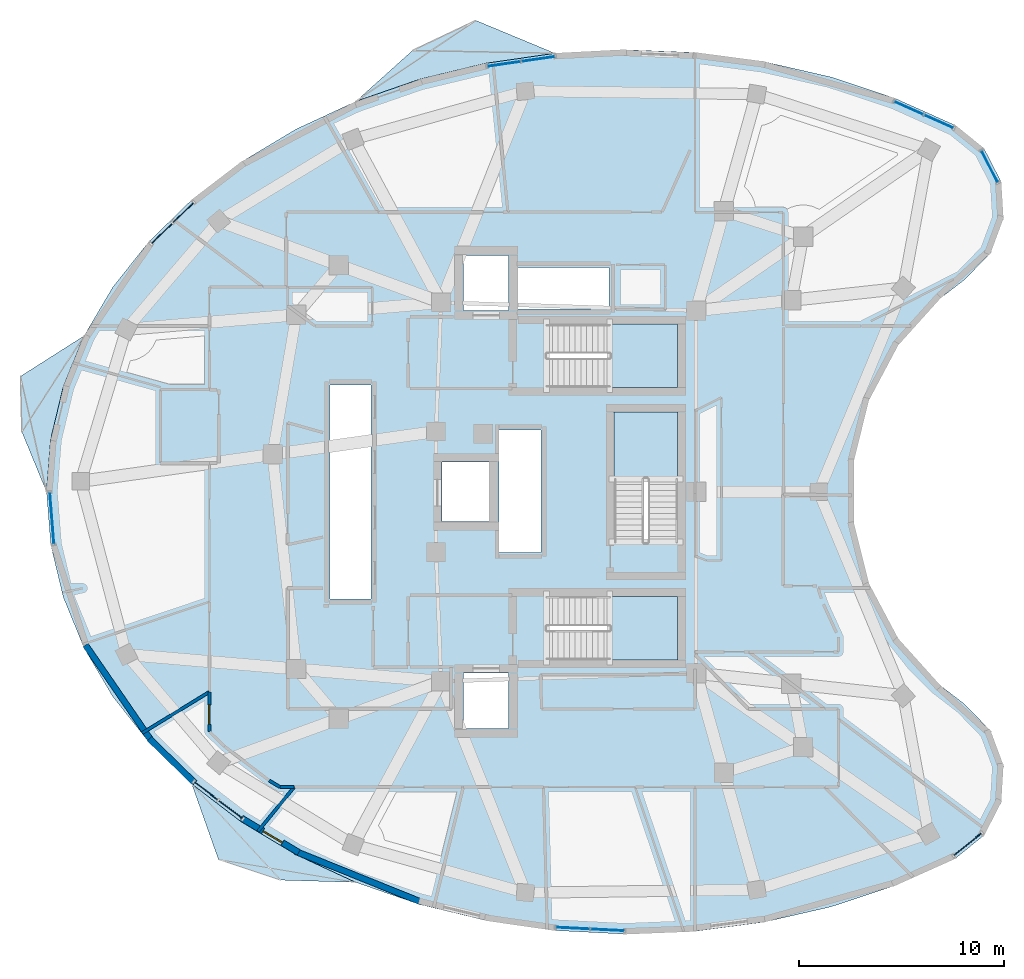
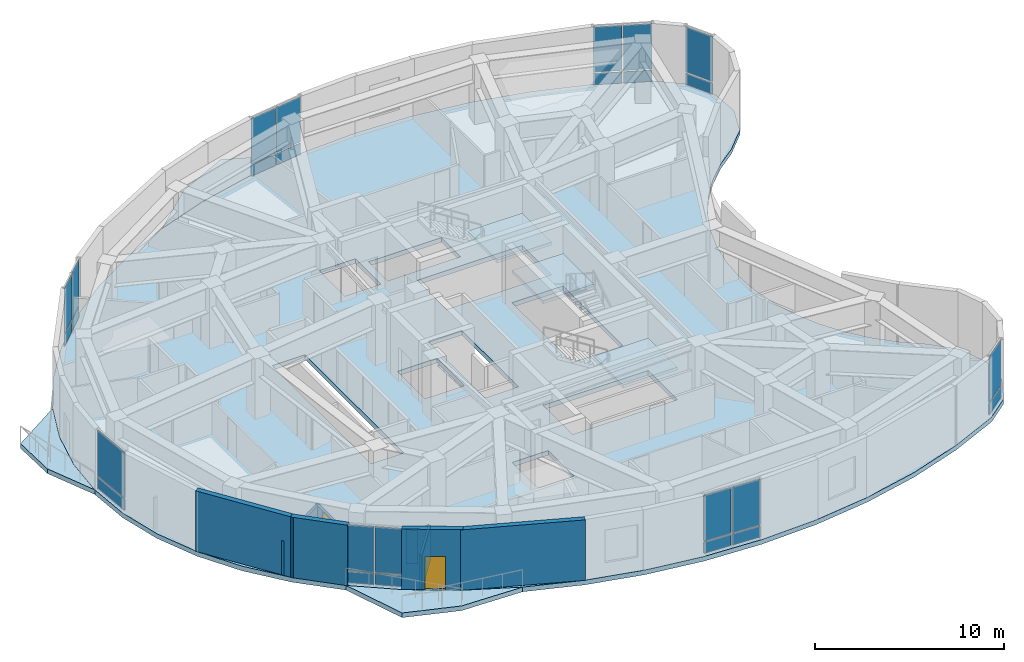
# One storey, part 5 of 13: 26 plates, 9 walls, 7 slabs, 2 doors, 2 openings, 11 elements without a shape of their own.
"""IFC4 building model written with IfcOpenShell, lengths in metres."""

from ifc_helpers import new_model, si_unit, direction, frame, frame_2d, origin, origin_2d, place, context, subcontext, project, spatial, polyline, rectangle, outline, extrude, material, layer, layer_set, type_object, element, fill, aggregate, save


model = new_model("IFC4")

# Units and contexts
model_context = context("Model", 3, precision=1e-05, world=origin(), true_north=direction((0.0, 1.0)))
body_context = subcontext(model_context, "Body", "Model", "MODEL_VIEW")
ifc_project = project(units=[si_unit("LENGTHUNIT", "METRE"), si_unit("AREAUNIT", "SQUARE_METRE"), si_unit("VOLUMEUNIT", "CUBIC_METRE"), si_unit("PLANEANGLEUNIT", "RADIAN"), si_unit("MASSUNIT", "GRAM", prefix="KILO")], contexts=[model_context])

# Site, building, storey
site_placement = place(None, origin())
site = spatial("IfcSite", under=ifc_project, at=site_placement, CompositionType="ELEMENT")
building_placement = place(site_placement, origin())
building = spatial("IfcBuilding", under=site, at=building_placement, Name="Korentha Bioscience Tower", CompositionType="ELEMENT")
storey_placement = place(building_placement, frame((0.0, 0.0, 256.199951171875)))
storey = spatial("IfcBuildingStorey", under=building, at=storey_placement, Name="L59", CompositionType="ELEMENT", Elevation=256.199951171875)

# Curtain wall, plates
ifc_material_1 = material(Name="Thermally Broken Aluminium Frame", Category="aluminium")
ifc_layer_1 = layer(ifc_material_1, 0.219970703125, Name="Thermally Broken Aluminium Frame")
ifc_layer_set_1 = layer_set([ifc_layer_1], Name="Thermally Broken Aluminium Frame (CW-T1)")
curtain_wall_type = type_object("IfcCurtainWallType", Name="Standard Bioscience Lab Unitised Curtain Wall CW-T1", PredefinedType="USERDEFINED", material=ifc_layer_set_1)
curtain_wall_1_placement = place(storey_placement, origin())
curtain_wall_1 = element("IfcCurtainWall", 1, at=curtain_wall_1_placement, inside=storey, type_object=curtain_wall_type, Name="L59 Curtain Wall 01", ObjectType="UNITISED", PredefinedType="USERDEFINED")
ifc_material_2 = material(Name="Triple-Glazed Low-E Insulated Glass", Category="glass")
ifc_layer_2 = layer(ifc_material_2, 0.0439453125, Name="Triple-Glazed Low-E Insulated Glass")
ifc_layer_set_2 = layer_set([ifc_layer_2], Name="Triple-Glazed Low-E Insulated Glass (GL-44)")
plate_type = type_object("IfcPlateType", Name="Glazed Panel 44mm", PredefinedType="CURTAIN_PANEL", material=ifc_layer_set_2)
plate_1_placement = place(storey_placement, frame((49.4052734375, 45.0869140625, 0.08984375), z_axis=(0.0, 0.0, 1.0), x_axis=(-0.912621774183, 0.408804962405, 0.0)))
plate_1 = element("IfcPlate", 2, at=plate_1_placement, type_object=plate_type, Name="CW-L59-01 Bay 1 Glazed Panel 1", PredefinedType="CURTAIN_PANEL", context=body_context, shape_type="SweptSolid", body=[
    extrude(rectangle(XDim=1.5185546875, YDim=0.0439453125, at=origin_2d()), origin(), (0.0, 0.0, 1.0), 0.715087890625),
])
plate_2_placement = place(storey_placement, frame((49.4052734375, 45.0869140625, 0.89501953125), z_axis=(0.0, 0.0, 1.0), x_axis=(-0.912621774183, 0.408804962405, 0.0)))
plate_2 = element("IfcPlate", 3, at=plate_2_placement, type_object=plate_type, Name="CW-L59-01 Bay 1 Glazed Panel 2", PredefinedType="CURTAIN_PANEL", context=body_context, shape_type="SweptSolid", body=[
    extrude(rectangle(XDim=1.5185546875, YDim=0.0439453125, at=origin_2d()), origin(), (0.0, 0.0, 1.0), 2.9150390625),
])
plate_3_placement = place(storey_placement, frame((47.937255859375, 45.744384765625, 0.08984375), z_axis=(0.0, 0.0, 1.0), x_axis=(-0.912621774183, 0.408804962405, 0.0)))
plate_3 = element("IfcPlate", 4, at=plate_3_placement, type_object=plate_type, Name="CW-L59-01 Bay 2 Glazed Panel 1", PredefinedType="CURTAIN_PANEL", context=body_context, shape_type="SweptSolid", body=[
    extrude(rectangle(XDim=1.5185546875, YDim=0.0439453125, at=origin_2d()), origin(), (0.0, 0.0, 1.0), 0.715087890625),
])
plate_4_placement = place(storey_placement, frame((47.937255859375, 45.744384765625, 0.89501953125), z_axis=(0.0, 0.0, 1.0), x_axis=(-0.912621774183, 0.408804962405, 0.0)))
plate_4 = element("IfcPlate", 5, at=plate_4_placement, type_object=plate_type, Name="CW-L59-01 Bay 2 Glazed Panel 2", PredefinedType="CURTAIN_PANEL", context=body_context, shape_type="SweptSolid", body=[
    extrude(rectangle(XDim=1.5185546875, YDim=0.0439453125, at=origin_2d()), origin(), (0.0, 0.0, 1.0), 2.9150390625),
])
aggregate(curtain_wall_1, [plate_1, plate_2, plate_3, plate_4])

curtain_wall_2_placement = place(storey_placement, origin())
curtain_wall_2 = element("IfcCurtainWall", 6, at=curtain_wall_2_placement, inside=storey, type_object=curtain_wall_type, Name="L59 Curtain Wall 07", ObjectType="UNITISED", PredefinedType="USERDEFINED")
plate_5_placement = place(storey_placement, frame((29.841796875, 48.13720703125, 0.08984375), z_axis=(0.0, 0.0, 1.0), x_axis=(-0.989728990307, -0.142956377076, 0.0)))
plate_5 = element("IfcPlate", 7, at=plate_5_placement, type_object=plate_type, Name="CW-L59-07 Bay 1 Glazed Panel 1", PredefinedType="CURTAIN_PANEL", context=body_context, shape_type="SweptSolid", body=[
    extrude(rectangle(XDim=1.602294921875, YDim=0.0439453125, at=origin_2d()), origin(), (0.0, 0.0, 1.0), 0.715087890625),
])
plate_6_placement = place(storey_placement, frame((29.841796875, 48.13720703125, 0.89501953125), z_axis=(0.0, 0.0, 1.0), x_axis=(-0.989728990307, -0.142956377076, 0.0)))
plate_6 = element("IfcPlate", 8, at=plate_6_placement, type_object=plate_type, Name="CW-L59-07 Bay 1 Glazed Panel 2", PredefinedType="CURTAIN_PANEL", context=body_context, shape_type="SweptSolid", body=[
    extrude(rectangle(XDim=1.602294921875, YDim=0.0439453125, at=origin_2d()), origin(), (0.0, 0.0, 1.0), 2.9150390625),
])
plate_7_placement = place(storey_placement, frame((28.1669921875, 47.8955078125, 0.08984375), z_axis=(0.0, 0.0, 1.0), x_axis=(-0.989728990307, -0.142956377076, 0.0)))
plate_7 = element("IfcPlate", 9, at=plate_7_placement, type_object=plate_type, Name="CW-L59-07 Bay 2 Glazed Panel 1", PredefinedType="CURTAIN_PANEL", context=body_context, shape_type="SweptSolid", body=[
    extrude(rectangle(XDim=1.602294921875, YDim=0.0439453125, at=origin_2d()), origin(), (0.0, 0.0, 1.0), 0.715087890625),
])
plate_8_placement = place(storey_placement, frame((28.1669921875, 47.8955078125, 0.89501953125), z_axis=(0.0, 0.0, 1.0), x_axis=(-0.989728990307, -0.142956377076, 0.0)))
plate_8 = element("IfcPlate", 10, at=plate_8_placement, type_object=plate_type, Name="CW-L59-07 Bay 2 Glazed Panel 2", PredefinedType="CURTAIN_PANEL", context=body_context, shape_type="SweptSolid", body=[
    extrude(rectangle(XDim=1.602294921875, YDim=0.0439453125, at=origin_2d()), origin(), (0.0, 0.0, 1.0), 2.9150390625),
])
aggregate(curtain_wall_2, [plate_5, plate_6, plate_7, plate_8])

curtain_wall_3_placement = place(storey_placement, origin())
curtain_wall_3 = element("IfcCurtainWall", 11, at=curtain_wall_3_placement, inside=storey, type_object=curtain_wall_type, Name="L59 Curtain Wall 13", ObjectType="UNITISED", PredefinedType="USERDEFINED")
plate_9_placement = place(storey_placement, frame((12.508056640625, 40.63330078125, 0.08984375), z_axis=(0.0, 0.0, 1.0), x_axis=(-0.715993919158, -0.698106516034, 0.0)))
plate_9 = element("IfcPlate", 12, at=plate_9_placement, type_object=plate_type, Name="CW-L59-13 Bay 1 Glazed Panel 1", PredefinedType="CURTAIN_PANEL", context=body_context, shape_type="SweptSolid", body=[
    extrude(rectangle(XDim=1.37158203125, YDim=0.0439453125, at=origin_2d()), origin(), (0.0, 0.0, 1.0), 0.715087890625),
])
plate_10_placement = place(storey_placement, frame((12.508056640625, 40.63330078125, 0.89501953125), z_axis=(0.0, 0.0, 1.0), x_axis=(-0.715993919158, -0.698106516034, 0.0)))
plate_10 = element("IfcPlate", 13, at=plate_10_placement, type_object=plate_type, Name="CW-L59-13 Bay 1 Glazed Panel 2", PredefinedType="CURTAIN_PANEL", context=body_context, shape_type="SweptSolid", body=[
    extrude(rectangle(XDim=1.37158203125, YDim=0.0439453125, at=origin_2d()), origin(), (0.0, 0.0, 1.0), 2.9150390625),
])
plate_11_placement = place(storey_placement, frame((11.46142578125, 39.61279296875, 0.08984375), z_axis=(0.0, 0.0, 1.0), x_axis=(-0.715993919158, -0.698106516034, 0.0)))
plate_11 = element("IfcPlate", 14, at=plate_11_placement, type_object=plate_type, Name="CW-L59-13 Bay 2 Glazed Panel 1", PredefinedType="CURTAIN_PANEL", context=body_context, shape_type="SweptSolid", body=[
    extrude(rectangle(XDim=1.37158203125, YDim=0.0439453125, at=origin_2d()), origin(), (0.0, 0.0, 1.0), 0.715087890625),
])
plate_12_placement = place(storey_placement, frame((11.46142578125, 39.61279296875, 0.89501953125), z_axis=(0.0, 0.0, 1.0), x_axis=(-0.715993919158, -0.698106516034, 0.0)))
plate_12 = element("IfcPlate", 15, at=plate_12_placement, type_object=plate_type, Name="CW-L59-13 Bay 2 Glazed Panel 2", PredefinedType="CURTAIN_PANEL", context=body_context, shape_type="SweptSolid", body=[
    extrude(rectangle(XDim=1.37158203125, YDim=0.0439453125, at=origin_2d()), origin(), (0.0, 0.0, 1.0), 2.9150390625),
])
aggregate(curtain_wall_3, [plate_9, plate_10, plate_11, plate_12])

curtain_wall_4_placement = place(storey_placement, origin())
curtain_wall_4 = element("IfcCurtainWall", 16, at=curtain_wall_4_placement, inside=storey, type_object=curtain_wall_type, Name="L59 Curtain Wall 19", ObjectType="UNITISED", PredefinedType="USERDEFINED")
plate_13_placement = place(storey_placement, frame((6.09521484375, 25.717529296875, 0.08984375), z_axis=(0.0, 0.0, 1.0), x_axis=(0.079117478884, -0.996865299093, 0.0)))
plate_13 = element("IfcPlate", 17, at=plate_13_placement, type_object=plate_type, Name="CW-L59-19 Bay 1 Glazed Panel 1", PredefinedType="CURTAIN_PANEL", context=body_context, shape_type="SweptSolid", body=[
    extrude(rectangle(XDim=2.498291015625, YDim=0.0439453125, at=origin_2d()), origin(), (0.0, 0.0, 1.0), 0.715087890625),
])
plate_14_placement = place(storey_placement, frame((6.09521484375, 25.717529296875, 0.89501953125), z_axis=(0.0, 0.0, 1.0), x_axis=(0.079117478884, -0.996865299093, 0.0)))
plate_14 = element("IfcPlate", 18, at=plate_14_placement, type_object=plate_type, Name="CW-L59-19 Bay 1 Glazed Panel 2", PredefinedType="CURTAIN_PANEL", context=body_context, shape_type="SweptSolid", body=[
    extrude(rectangle(XDim=2.498291015625, YDim=0.0439453125, at=origin_2d()), origin(), (0.0, 0.0, 1.0), 2.9150390625),
])
aggregate(curtain_wall_4, [plate_13, plate_14])

curtain_wall_5_placement = place(storey_placement, origin())
curtain_wall_5 = element("IfcCurtainWall", 19, at=curtain_wall_5_placement, inside=storey, type_object=curtain_wall_type, Name="L59 Curtain Wall 25", ObjectType="UNITISED", PredefinedType="USERDEFINED")
plate_15_placement = place(storey_placement, frame((13.62451171875, 12.403564453125, 0.08984375), z_axis=(0.0, 0.0, 1.0), x_axis=(0.794382455982, -0.607417906904, 0.0)))
plate_15 = element("IfcPlate", 20, at=plate_15_placement, type_object=plate_type, Name="CW-L59-25 Bay 1 Glazed Panel 1", PredefinedType="CURTAIN_PANEL", context=body_context, shape_type="SweptSolid", body=[
    extrude(rectangle(XDim=1.421142578125, YDim=0.0439453125, at=origin_2d()), origin(), (0.0, 0.0, 1.0), 0.715087890625),
])
plate_16_placement = place(storey_placement, frame((13.62451171875, 12.403564453125, 0.89501953125), z_axis=(0.0, 0.0, 1.0), x_axis=(0.794382455982, -0.607417906904, 0.0)))
plate_16 = element("IfcPlate", 21, at=plate_16_placement, type_object=plate_type, Name="CW-L59-25 Bay 1 Glazed Panel 2", PredefinedType="CURTAIN_PANEL", context=body_context, shape_type="SweptSolid", body=[
    extrude(rectangle(XDim=1.421142578125, YDim=0.0439453125, at=origin_2d()), origin(), (0.0, 0.0, 1.0), 2.9150390625),
])
plate_17_placement = place(storey_placement, frame((14.824951171875, 11.485595703125, 0.08984375), z_axis=(0.0, 0.0, 1.0), x_axis=(0.794382455982, -0.607417906904, 0.0)))
plate_17 = element("IfcPlate", 22, at=plate_17_placement, type_object=plate_type, Name="CW-L59-25 Bay 2 Glazed Panel 1", PredefinedType="CURTAIN_PANEL", context=body_context, shape_type="SweptSolid", body=[
    extrude(rectangle(XDim=1.421142578125, YDim=0.0439453125, at=origin_2d()), origin(), (0.0, 0.0, 1.0), 0.715087890625),
])
plate_18_placement = place(storey_placement, frame((14.824951171875, 11.485595703125, 0.89501953125), z_axis=(0.0, 0.0, 1.0), x_axis=(0.794382455982, -0.607417906904, 0.0)))
plate_18 = element("IfcPlate", 23, at=plate_18_placement, type_object=plate_type, Name="CW-L59-25 Bay 2 Glazed Panel 2", PredefinedType="CURTAIN_PANEL", context=body_context, shape_type="SweptSolid", body=[
    extrude(rectangle(XDim=1.421142578125, YDim=0.0439453125, at=origin_2d()), origin(), (0.0, 0.0, 1.0), 2.9150390625),
])
aggregate(curtain_wall_5, [plate_15, plate_16, plate_17, plate_18])

curtain_wall_6_placement = place(storey_placement, origin())
curtain_wall_6 = element("IfcCurtainWall", 24, at=curtain_wall_6_placement, inside=storey, type_object=curtain_wall_type, Name="L59 Curtain Wall 31", ObjectType="UNITISED", PredefinedType="USERDEFINED")
plate_19_placement = place(storey_placement, frame((31.52490234375, 5.6982421875, 0.08984375), z_axis=(0.0, 0.0, 1.0), x_axis=(0.998671032258, -0.051538037689, 0.0)))
plate_19 = element("IfcPlate", 25, at=plate_19_placement, type_object=plate_type, Name="CW-L59-31 Bay 1 Glazed Panel 1", PredefinedType="CURTAIN_PANEL", context=body_context, shape_type="SweptSolid", body=[
    extrude(rectangle(XDim=1.61328125, YDim=0.0439453125, at=origin_2d()), origin(), (0.0, 0.0, 1.0), 0.715087890625),
])
plate_20_placement = place(storey_placement, frame((31.52490234375, 5.6982421875, 0.89501953125), z_axis=(0.0, 0.0, 1.0), x_axis=(0.998671032258, -0.051538037689, 0.0)))
plate_20 = element("IfcPlate", 26, at=plate_20_placement, type_object=plate_type, Name="CW-L59-31 Bay 1 Glazed Panel 2", PredefinedType="CURTAIN_PANEL", context=body_context, shape_type="SweptSolid", body=[
    extrude(rectangle(XDim=1.61328125, YDim=0.0439453125, at=origin_2d()), origin(), (0.0, 0.0, 1.0), 2.9150390625),
])
plate_21_placement = place(storey_placement, frame((33.225830078125, 5.610595703125, 0.08984375), z_axis=(0.0, 0.0, 1.0), x_axis=(0.998671032258, -0.051538037689, 0.0)))
plate_21 = element("IfcPlate", 27, at=plate_21_placement, type_object=plate_type, Name="CW-L59-31 Bay 2 Glazed Panel 1", PredefinedType="CURTAIN_PANEL", context=body_context, shape_type="SweptSolid", body=[
    extrude(rectangle(XDim=1.61328125, YDim=0.0439453125, at=origin_2d()), origin(), (0.0, 0.0, 1.0), 0.715087890625),
])
plate_22_placement = place(storey_placement, frame((33.225830078125, 5.610595703125, 0.89501953125), z_axis=(0.0, 0.0, 1.0), x_axis=(0.998671032258, -0.051538037689, 0.0)))
plate_22 = element("IfcPlate", 28, at=plate_22_placement, type_object=plate_type, Name="CW-L59-31 Bay 2 Glazed Panel 2", PredefinedType="CURTAIN_PANEL", context=body_context, shape_type="SweptSolid", body=[
    extrude(rectangle(XDim=1.61328125, YDim=0.0439453125, at=origin_2d()), origin(), (0.0, 0.0, 1.0), 2.9150390625),
])
aggregate(curtain_wall_6, [plate_19, plate_20, plate_21, plate_22])

curtain_wall_7_placement = place(storey_placement, origin())
curtain_wall_7 = element("IfcCurtainWall", 29, at=curtain_wall_7_placement, inside=storey, type_object=curtain_wall_type, Name="L59 Curtain Wall 37", ObjectType="UNITISED", PredefinedType="USERDEFINED")
plate_23_placement = place(storey_placement, frame((50.810791015625, 9.790771484375, 0.08984375), z_axis=(0.0, 0.0, 1.0), x_axis=(0.777226359638, 0.629221094596, 0.0)))
plate_23 = element("IfcPlate", 30, at=plate_23_placement, type_object=plate_type, Name="CW-L59-37 Bay 1 Glazed Panel 1", PredefinedType="CURTAIN_PANEL", context=body_context, shape_type="SweptSolid", body=[
    extrude(rectangle(XDim=1.70703125, YDim=0.0439453125, at=origin_2d()), origin(), (0.0, 0.0, 1.0), 0.715087890625),
])
plate_24_placement = place(storey_placement, frame((50.810791015625, 9.790771484375, 0.89501953125), z_axis=(0.0, 0.0, 1.0), x_axis=(0.777226359638, 0.629221094596, 0.0)))
plate_24 = element("IfcPlate", 31, at=plate_24_placement, type_object=plate_type, Name="CW-L59-37 Bay 1 Glazed Panel 2", PredefinedType="CURTAIN_PANEL", context=body_context, shape_type="SweptSolid", body=[
    extrude(rectangle(XDim=1.70703125, YDim=0.0439453125, at=origin_2d()), origin(), (0.0, 0.0, 1.0), 2.9150390625),
])
aggregate(curtain_wall_7, [plate_23, plate_24])

curtain_wall_8_placement = place(storey_placement, origin())
curtain_wall_8 = element("IfcCurtainWall", 32, at=curtain_wall_8_placement, inside=storey, type_object=curtain_wall_type, Name="L59 Curtain Wall 61", ObjectType="UNITISED", PredefinedType="USERDEFINED")
plate_25_placement = place(storey_placement, frame((51.885009765625, 42.888671875, 0.08984375), z_axis=(0.0, 0.0, 1.0), x_axis=(-0.457569503198, 0.889173857996, 0.0)))
plate_25 = element("IfcPlate", 33, at=plate_25_placement, type_object=plate_type, Name="CW-L59-61 Bay 1 Glazed Panel 1", PredefinedType="CURTAIN_PANEL", context=body_context, shape_type="SweptSolid", body=[
    extrude(rectangle(XDim=1.70703125, YDim=0.0439453125, at=origin_2d()), origin(), (0.0, 0.0, 1.0), 0.715087890625),
])
plate_26_placement = place(storey_placement, frame((51.885009765625, 42.888671875, 0.89501953125), z_axis=(0.0, 0.0, 1.0), x_axis=(-0.457569503198, 0.889173857996, 0.0)))
plate_26 = element("IfcPlate", 34, at=plate_26_placement, type_object=plate_type, Name="CW-L59-61 Bay 1 Glazed Panel 2", PredefinedType="CURTAIN_PANEL", context=body_context, shape_type="SweptSolid", body=[
    extrude(rectangle(XDim=1.70703125, YDim=0.0439453125, at=origin_2d()), origin(), (0.0, 0.0, 1.0), 2.9150390625),
])
aggregate(curtain_wall_8, [plate_25, plate_26])

# Slab
ifc_material_3 = material(Name="Concrete C50", Category="concrete")
ifc_layer_3 = layer(ifc_material_3, 0.300048828125, Name="Concrete C50")
ifc_layer_set_3 = layer_set([ifc_layer_3], Name="Concrete C50 (SL-L300)")
slab_type_1 = type_object("IfcSlabType", Name="Laboratory Vibration-Controlled Slab 300", PredefinedType="FLOOR", material=ifc_layer_set_3)
slab_1_placement = place(storey_placement, frame((0.0, 0.0, -0.300048828125)))
element("IfcSlab", 35, at=slab_1_placement, inside=storey, type_object=slab_type_1, Name="L59 Tower Structural Floor Slab", PredefinedType="FLOOR", context=body_context, shape_type="SweptSolid", body=[
    extrude(outline(polyline([(50.209228515625, 44.902099609375), (47.26416015625, 46.22119140625), (44.1318359375, 47.262939453125), (40.857666015625, 48.011962890625), (37.488525390625, 48.45751953125), (34.0732421875, 48.593505859375), (30.6611328125, 48.41748046875), (27.301513671875, 47.93212890625), (24.04296875, 47.144775390625), (20.932373046875, 46.06640625), (18.0146484375, 44.712890625), (15.33203125, 43.103515625), (12.923095703125, 41.261474609375), (10.822998046875, 39.213623046875), (9.0615234375, 36.989501953125), (7.66455078125, 34.62109375), (6.65185546875, 32.142822265625), (6.03857421875, 29.590087890625), (5.8330078125, 27.0), (6.03857421875, 24.409912109375), (6.65185546875, 21.857177734375), (7.66455078125, 19.37890625), (9.0615234375, 17.010498046875), (10.822998046875, 14.786376953125), (12.923095703125, 12.738525390625), (15.33203125, 10.896484375), (18.0146484375, 9.287109375), (20.932373046875, 7.93359375), (24.04296875, 6.855224609375), (27.301513671875, 6.06787109375), (30.6611328125, 5.58251953125), (34.0732421875, 5.406494140625), (37.488525390625, 5.54248046875), (40.857666015625, 5.988037109375), (44.1318359375, 6.737060546875), (47.26416015625, 7.77880859375), (50.209228515625, 9.097900390625), (51.61376953125, 10.23486328125), (52.440673828125, 11.841552734375), (52.54931640625, 13.6455078125), (51.92138671875, 15.340087890625), (50.66357421875, 16.637451171875), (49.452880859375, 17.56640625), (48.3642578125, 18.63623046875), (47.414306640625, 19.83056640625), (46.616943359375, 21.1318359375), (45.98388671875, 22.5205078125), (45.525146484375, 23.97607421875), (45.246826171875, 25.476806640625), (45.15380859375, 27.0), (45.246826171875, 28.523193359375), (45.525146484375, 30.02392578125), (45.98388671875, 31.4794921875), (46.616943359375, 32.8681640625), (47.414306640625, 34.16943359375), (48.3642578125, 35.36376953125), (49.452880859375, 36.43359375), (50.66357421875, 37.362548828125), (51.92138671875, 38.659912109375), (52.54931640625, 40.3544921875), (52.440673828125, 42.158447265625), (51.61376953125, 43.76513671875), (50.209228515625, 44.902099609375)]), holes=[polyline([(30.25, 32.10009765625), (36.64990234375, 32.10009765625), (36.64990234375, 35.199951171875), (30.25, 35.199951171875), (30.25, 32.10009765625)]), polyline([(30.25, 18.800048828125), (36.64990234375, 18.800048828125), (36.64990234375, 21.89990234375), (30.25, 21.89990234375), (30.25, 18.800048828125)]), polyline([(36.64990234375, 24.550048828125), (36.64990234375, 30.89990234375), (33.550048828125, 30.89990234375), (33.550048828125, 24.550048828125), (36.64990234375, 24.550048828125)]), polyline([(19.679931640625, 21.780029296875), (21.669921875, 21.780029296875), (21.669921875, 32.219970703125), (19.679931640625, 32.219970703125), (19.679931640625, 21.780029296875)]), polyline([(27.929931640625, 24.030029296875), (29.969970703125, 24.030029296875), (29.969970703125, 30.02001953125), (27.929931640625, 30.02001953125), (27.929931640625, 24.030029296875)]), polyline([(28.860107421875, 35.93994140625), (33.31005859375, 35.93994140625), (33.31005859375, 37.9599609375), (28.860107421875, 37.9599609375), (28.860107421875, 35.93994140625)]), polyline([(26.199951171875, 15.449951171875), (28.39990234375, 15.449951171875), (28.39990234375, 18.14990234375), (26.199951171875, 18.14990234375), (26.199951171875, 15.449951171875)]), polyline([(26.199951171875, 35.85009765625), (28.39990234375, 35.85009765625), (28.39990234375, 38.550048828125), (26.199951171875, 38.550048828125), (26.199951171875, 35.85009765625)]), polyline([(25.14990234375, 25.550048828125), (27.550048828125, 25.550048828125), (27.550048828125, 28.449951171875), (25.14990234375, 28.449951171875), (25.14990234375, 25.550048828125)])]), origin(), (0.0, 0.0, 1.0), 0.300048828125),
])

# Stair, slab
ifc_material_4 = material(Name="Precast Concrete C50", Category="concrete")
stair_type = type_object("IfcStairType", Name="Core Exit Dog-Leg Stair 1450", PredefinedType="HALF_TURN_STAIR", material=ifc_material_4)
stair_1_placement = place(storey_placement, origin())
stair_1 = element("IfcStair", 36, at=stair_1_placement, inside=storey, type_object=stair_type, Name="L59 Tower North Pressurized Exit Stair ST-1", PredefinedType="HALF_TURN_STAIR")
ifc_layer_4 = layer(ifc_material_3, 0.199951171875, Name="Concrete C50")
ifc_layer_set_4 = layer_set([ifc_layer_4], Name="Concrete C50 (SL-LND)")
slab_type_2 = type_object("IfcSlabType", Name="Landing Slab 200", PredefinedType="LANDING", material=ifc_layer_set_4)
slab_2_placement = place(storey_placement, frame((0.0, 0.0, 1.900146484375)))
slab_2 = element("IfcSlab", 37, at=slab_2_placement, type_object=slab_type_2, Name="ST-1 landing 1", PredefinedType="LANDING", context=body_context, shape_type="SweptSolid", body=[
    extrude(outline(polyline([(33.330078125, 32.10009765625), (36.64990234375, 32.10009765625), (36.64990234375, 35.199951171875), (33.330078125, 35.199951171875), (33.330078125, 32.10009765625)])), origin(), (0.0, 0.0, 1.0), 0.199951171875),
])
aggregate(stair_1, [slab_2])

stair_2_placement = place(storey_placement, origin())
stair_2 = element("IfcStair", 38, at=stair_2_placement, inside=storey, type_object=stair_type, Name="L59 Tower South Pressurized Exit Stair ST-2", PredefinedType="HALF_TURN_STAIR")
slab_3_placement = place(storey_placement, frame((0.0, 0.0, 1.900146484375)))
slab_3 = element("IfcSlab", 39, at=slab_3_placement, type_object=slab_type_2, Name="ST-2 landing 1", PredefinedType="LANDING", context=body_context, shape_type="SweptSolid", body=[
    extrude(outline(polyline([(33.330078125, 18.800048828125), (36.64990234375, 18.800048828125), (36.64990234375, 21.89990234375), (33.330078125, 21.89990234375), (33.330078125, 18.800048828125)])), origin(), (0.0, 0.0, 1.0), 0.199951171875),
])
aggregate(stair_2, [slab_3])

stair_3_placement = place(storey_placement, origin())
stair_3 = element("IfcStair", 40, at=stair_3_placement, inside=storey, type_object=stair_type, Name="L59 Tower Central Pressurized Exit Stair ST-3", PredefinedType="HALF_TURN_STAIR")
slab_4_placement = place(storey_placement, frame((0.0, 0.0, 1.900146484375)))
slab_4 = element("IfcSlab", 41, at=slab_4_placement, type_object=slab_type_2, Name="ST-3 landing 1", PredefinedType="LANDING", context=body_context, shape_type="SweptSolid", body=[
    extrude(outline(polyline([(36.64990234375, 27.6298828125), (36.64990234375, 30.89990234375), (33.550048828125, 30.89990234375), (33.550048828125, 27.6298828125), (36.64990234375, 27.6298828125)])), origin(), (0.0, 0.0, 1.0), 0.199951171875),
])
aggregate(stair_3, [slab_4])

# Slabs
ifc_layer_5 = layer(ifc_material_3, 0.300048828125, Name="Concrete C50")
ifc_layer_set_5 = layer_set([ifc_layer_5], Name="Concrete C50 (BS-240)")
slab_type_3 = type_object("IfcSlabType", Name="Sawtooth Sun-Ledge Balcony Slab 240", PredefinedType="USERDEFINED", material=ifc_layer_set_5)
slab_5_placement = place(storey_placement, frame((0.0, 0.0, -0.300048828125)))
element("IfcSlab", 42, at=slab_5_placement, inside=storey, type_object=slab_type_3, Name="L59 Sun-Ledge Balcony 01", ObjectType="BALCONY", PredefinedType="USERDEFINED", context=body_context, shape_type="SweptSolid", body=[
    extrude(outline(polyline([(20.932373046875, 46.06640625), (24.04296875, 47.144775390625), (27.301513671875, 47.93212890625), (30.6611328125, 48.41748046875), (26.796630859375, 50.02197265625), (23.702392578125, 48.55419921875), (20.932373046875, 46.06640625)])), origin(), (0.0, 0.0, 1.0), 0.300048828125),
])
slab_6_placement = place(storey_placement, frame((0.0, 0.0, -0.300048828125)))
element("IfcSlab", 43, at=slab_6_placement, inside=storey, type_object=slab_type_3, Name="L59 Sun-Ledge Balcony 02", ObjectType="BALCONY", PredefinedType="USERDEFINED", context=body_context, shape_type="SweptSolid", body=[
    extrude(outline(polyline([(5.8330078125, 27.0), (6.03857421875, 29.590087890625), (6.65185546875, 32.142822265625), (7.66455078125, 34.62109375), (4.561279296875, 32.645263671875), (4.628662109375, 29.928955078125), (5.8330078125, 27.0)])), origin(), (0.0, 0.0, 1.0), 0.300048828125),
])
slab_7_placement = place(storey_placement, frame((0.0, 0.0, -0.300048828125)))
element("IfcSlab", 44, at=slab_7_placement, inside=storey, type_object=slab_type_3, Name="L59 Sun-Ledge Balcony 03", ObjectType="BALCONY", PredefinedType="USERDEFINED", context=body_context, shape_type="SweptSolid", body=[
    extrude(outline(polyline([(20.932373046875, 7.93359375), (18.0146484375, 9.287109375), (15.33203125, 10.896484375), (12.923095703125, 12.738525390625), (14.225830078125, 9.052978515625), (17.268798828125, 8.043701171875), (20.932373046875, 7.93359375)])), origin(), (0.0, 0.0, 1.0), 0.300048828125),
])

# Wall, opening, door
ifc_material_5 = material(Name="Double-Stud Acoustic Gypsum", Category="gypsum")
ifc_layer_6 = layer(ifc_material_5, 0.14990234375, Name="Double-Stud Acoustic Gypsum")
ifc_layer_set_6 = layer_set([ifc_layer_6], Name="Double-Stud Acoustic Gypsum (IW-L150)")
wall_type_1 = type_object("IfcWallType", Name="Acoustic Laboratory Partition Wall 150", PredefinedType="PARTITIONING", material=ifc_layer_set_6)
wall_1_placement = place(storey_placement, frame((13.7900390625, 17.2255859375, 0.0), z_axis=(0.0, 0.0, 1.0), x_axis=(0.0, -1.0, 0.0)))
wall_1 = element("IfcWall", 45, at=wall_1_placement, inside=storey, type_object=wall_type_1, Name="L59 Staff Pantry Kitchenette 03 Entrance Wall", PredefinedType="PARTITIONING", context=body_context, shape_type="SweptSolid", body=[
    extrude(rectangle(XDim=1.93408203125, YDim=0.14990234375, at=frame_2d((0.967041015625, 0.0))), origin(), (0.0, 0.0, 1.0), 2.219970703125),
])
opening_1_placement = place(wall_1_placement, frame((0.625, 0.0, 0.0)))
opening_1 = element("IfcOpeningElement", 46, at=opening_1_placement, cuts=wall_1, Name="Opening ID-10R", PredefinedType="OPENING", context=body_context, shape_type="SweptSolid", body=[
    extrude(rectangle(XDim=0.949951171875, YDim=2.14990234375, at=frame_2d((0.47509765625, 1.074951171875))), frame((0.0, 0.08984375, 0.0), z_axis=(0.0, -1.0, 0.0), x_axis=(1.0, 0.0, 0.0)), (0.0, 0.0, 1.0), 0.1796875),
])
ifc_material_6 = material(Name="Phenolic Laminate Timber Core", Category="wood")
door_type_1 = type_object("IfcDoorType", Name="Laboratory Single Leaf Door 950x2150 Right", OperationType="SINGLE_SWING_RIGHT", PredefinedType="DOOR", material=ifc_material_6)
door_1_placement = place(opening_1_placement, origin())
door_1 = element("IfcDoor", 47, at=door_1_placement, inside=storey, type_object=door_type_1, Name="L59 Staff Pantry Kitchenette 03 Door", OperationType="SINGLE_SWING_RIGHT", OverallHeight=2.14990234375, OverallWidth=0.949951171875, PredefinedType="DOOR", context=body_context, shape_type="SweptSolid", body=[
    extrude(rectangle(XDim=0.949951171875, YDim=2.14990234375, at=frame_2d((0.47509765625, 1.074951171875))), frame((0.0, 0.02490234375, 0.0), z_axis=(0.0, -1.0, 0.0), x_axis=(1.0, 0.0, 0.0)), (0.0, 0.0, 1.0), 0.050048828125),
])
fill(opening_1, door_1)

# Walls
wall_2_placement = place(storey_placement, frame((13.7900390625, 17.2373046875, 0.0), z_axis=(0.0, 0.0, 1.0), x_axis=(-0.852642224979, -0.522495202066, 0.0)))
element("IfcWall", 48, at=wall_2_placement, inside=storey, type_object=wall_type_1, Name="L59 Interior Partition 038", PredefinedType="PARTITIONING", context=body_context, shape_type="SweptSolid", body=[
    extrude(rectangle(XDim=3.853515625, YDim=0.14990234375, at=frame_2d((1.9267578125, 0.0))), origin(), (0.0, 0.0, 1.0), 2.219970703125),
])
wall_3_placement = place(storey_placement, frame((16.699951171875, 12.90966796875, 0.0), z_axis=(0.0, 0.0, 1.0), x_axis=(0.857458106414, -0.514553783141, 0.0)))
element("IfcWall", 49, at=wall_3_placement, inside=storey, type_object=wall_type_1, Name="L59 Interior Partition 041", PredefinedType="PARTITIONING", context=body_context, shape_type="SweptSolid", body=[
    extrude(rectangle(XDim=0.61865234375, YDim=0.14990234375, at=frame_2d((0.309326171875, 0.0))), origin(), (0.0, 0.0, 1.0), 2.219970703125),
])
wall_4_placement = place(storey_placement, frame((17.235595703125, 12.590087890625, 0.0), z_axis=(0.0, 0.0, 1.0), x_axis=(1.0, 0.0, 0.0)))
element("IfcWall", 50, at=wall_4_placement, inside=storey, type_object=wall_type_1, Name="L59 Interior Partition 042", PredefinedType="PARTITIONING", context=body_context, shape_type="SweptSolid", body=[
    extrude(rectangle(XDim=0.6923828125, YDim=0.14990234375, at=frame_2d((0.34619140625, 0.0))), origin(), (0.0, 0.0, 1.0), 2.219970703125),
])
wall_5_placement = place(storey_placement, frame((17.927978515625, 12.590087890625, 0.0), z_axis=(0.0, 0.0, 1.0), x_axis=(-0.633318665549, -0.773891121455, 0.0)))
element("IfcWall", 51, at=wall_5_placement, inside=storey, type_object=wall_type_1, Name="L59 Interior Partition 043", PredefinedType="PARTITIONING", context=body_context, shape_type="SweptSolid", body=[
    extrude(rectangle(XDim=2.79443359375, YDim=0.14990234375, at=frame_2d((1.397216796875, 0.0))), origin(), (0.0, 0.0, 1.0), 2.219970703125),
])

# Wall, opening, door
ifc_material_7 = material(Name="Honed Limestone Precast Concrete C40", Category="masonry")
ifc_layer_7 = layer(ifc_material_7, 0.300048828125, Name="Honed Limestone Precast Concrete C40")
ifc_layer_set_7 = layer_set([ifc_layer_7], Name="Honed Limestone Precast Concrete C40 (EW-ST300)")
wall_type_2 = type_object("IfcWallType", Name="Honed Limestone Cavity Spandrel Wall 300", PredefinedType="STANDARD", material=ifc_layer_set_7)
wall_6_placement = place(storey_placement, frame((15.36279296875, 11.064697265625, 0.0), z_axis=(0.0, 0.0, 1.0), x_axis=(0.857526080841, -0.514440492844, 0.0)))
wall_6 = element("IfcWall", 52, at=wall_6_placement, inside=storey, type_object=wall_type_2, Name="L59 Balcony Threshold Wall 03", PredefinedType="STANDARD", context=body_context, shape_type="SweptSolid", body=[
    extrude(rectangle(XDim=3.24853515625, YDim=0.300048828125, at=frame_2d((1.624267578125, 0.0))), origin(), (0.0, 0.0, 1.0), 3.900146484375),
])
opening_2_placement = place(wall_6_placement, frame((1.22021484375, 0.0, 0.0)))
opening_2 = element("IfcOpeningElement", 53, at=opening_2_placement, cuts=wall_6, Name="Opening BD-11L", PredefinedType="OPENING", context=body_context, shape_type="SweptSolid", body=[
    extrude(rectangle(XDim=1.10009765625, YDim=2.14990234375, at=frame_2d((0.550048828125, 1.074951171875))), frame((0.0, 0.1650390625, 0.0), z_axis=(0.0, -1.0, 0.0), x_axis=(1.0, 0.0, 0.0)), (0.0, 0.0, 1.0), 0.329833984375),
])
ifc_material_8 = material(Name="Thermally Broken Glazed Aluminium", Category="aluminium")
door_type_2 = type_object("IfcDoorType", Name="Balcony Terrace Glazed Door 1100x2150 Left", OperationType="SINGLE_SWING_LEFT", PredefinedType="DOOR", material=ifc_material_8)
door_2_placement = place(opening_2_placement, origin())
door_2 = element("IfcDoor", 54, at=door_2_placement, inside=storey, type_object=door_type_2, Name="L59 Balcony Access Door 03", OperationType="SINGLE_SWING_LEFT", OverallHeight=2.14990234375, OverallWidth=1.10009765625, PredefinedType="DOOR", context=body_context, shape_type="SweptSolid", body=[
    extrude(rectangle(XDim=1.10009765625, YDim=2.14990234375, at=frame_2d((0.550048828125, 1.074951171875))), frame((0.0, 0.02490234375, 0.0), z_axis=(0.0, -1.0, 0.0), x_axis=(1.0, 0.0, 0.0)), (0.0, 0.0, 1.0), 0.050048828125),
])
fill(opening_2, door_2)

# Walls
wall_7_placement = place(storey_placement, frame((7.734619140625, 19.52392578125, 0.0), z_axis=(0.0, 0.0, 1.0), x_axis=(0.566669772846, -0.823945003349, 0.0)))
element("IfcWall", 55, at=wall_7_placement, inside=storey, type_object=wall_type_2, Name="L59 Limestone Perimeter Closure Wall 22", PredefinedType="STANDARD", context=body_context, shape_type="SweptSolid", body=[
    extrude(rectangle(XDim=5.733642578125, YDim=0.300048828125, at=frame_2d((2.86669921875, 0.0))), origin(), (0.0, 0.0, 1.0), 3.900146484375),
])
wall_8_placement = place(storey_placement, frame((10.86328125, 14.9423828125, 0.0), z_axis=(0.0, 0.0, 1.0), x_axis=(0.71600802955, -0.698092043802, 0.0)))
element("IfcWall", 56, at=wall_8_placement, inside=storey, type_object=wall_type_2, Name="L59 Limestone Perimeter Closure Wall 24", PredefinedType="STANDARD", context=body_context, shape_type="SweptSolid", body=[
    extrude(rectangle(XDim=3.09326171875, YDim=0.300048828125, at=frame_2d((1.546630859375, 0.0))), origin(), (0.0, 0.0, 1.0), 3.900146484375),
])
wall_9_placement = place(storey_placement, frame((17.992919921875, 9.447021484375, 0.0), z_axis=(0.0, 0.0, 1.0), x_axis=(0.927372969182, -0.374138177725, 0.0)))
element("IfcWall", 57, at=wall_9_placement, inside=storey, type_object=wall_type_2, Name="L59 Limestone Perimeter Closure Wall 27", PredefinedType="STANDARD", context=body_context, shape_type="SweptSolid", body=[
    extrude(rectangle(XDim=6.660400390625, YDim=0.300048828125, at=frame_2d((3.330078125, 0.0))), origin(), (0.0, 0.0, 1.0), 3.900146484375),
])

save(model, "model.ifc")
